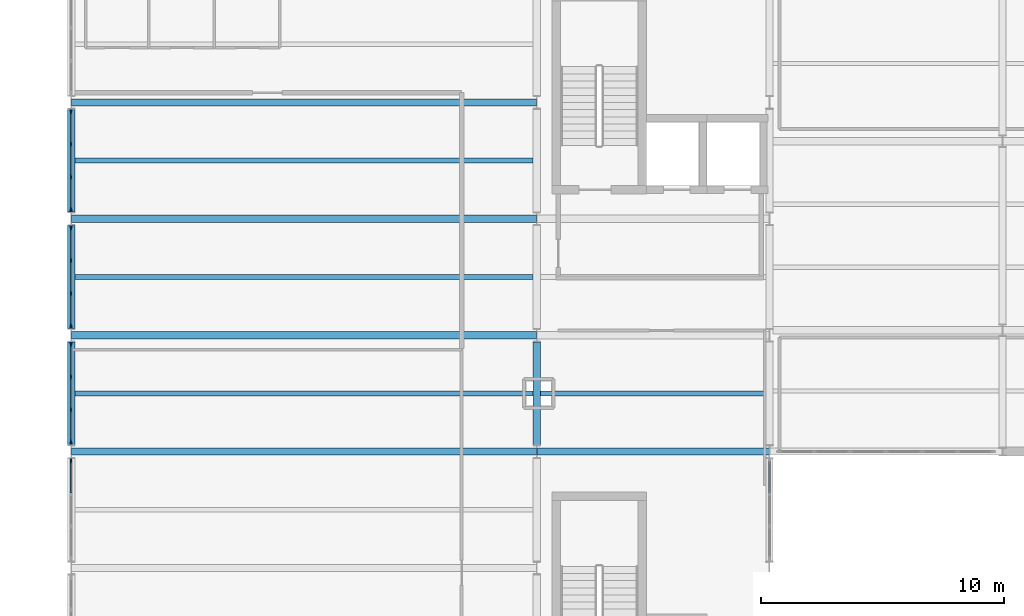
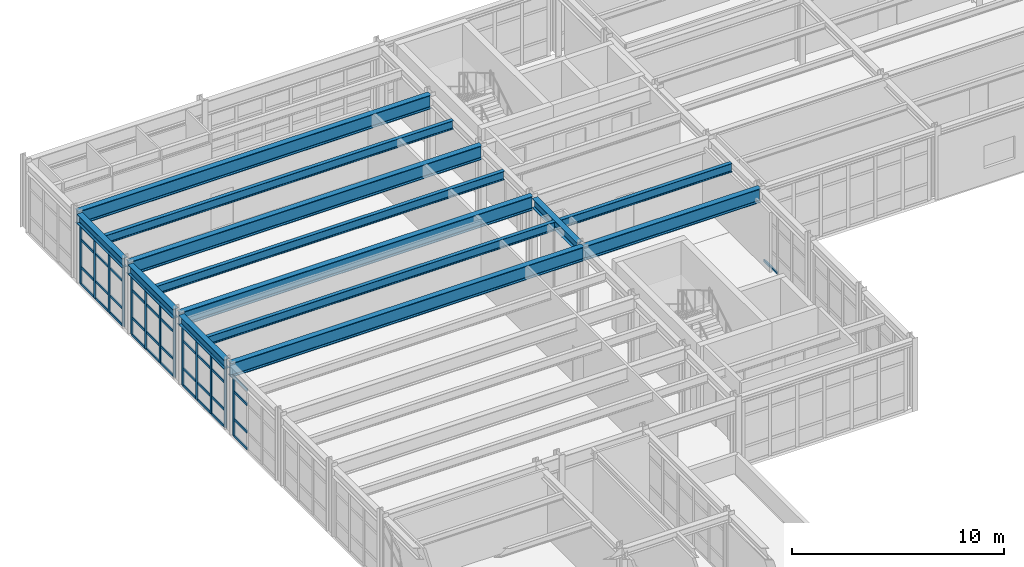
# One storey, part 26 of 64: 54 members, 13 beams, 5 elements without a shape of their own.
"""IFC4 building model written with IfcOpenShell, lengths in metres."""

from ifc_helpers import new_model, si_unit, direction, frame, origin, origin_2d, place, context, subcontext, project, spatial, rectangle, i_section, extrude, material, layer, layer_set, material_profile, profile_set, type_object, element, aggregate, save


model = new_model("IFC4")

# Units and contexts
model_context = context("Model", 3, precision=1e-05, world=origin(), true_north=direction((0.0, 1.0)))
body_context = subcontext(model_context, "Body", "Model", "MODEL_VIEW")
ifc_project = project(units=[si_unit("LENGTHUNIT", "METRE"), si_unit("AREAUNIT", "SQUARE_METRE"), si_unit("VOLUMEUNIT", "CUBIC_METRE"), si_unit("PLANEANGLEUNIT", "RADIAN"), si_unit("MASSUNIT", "GRAM", prefix="KILO")], contexts=[model_context])

# Site, building, storey
site_placement = place(None, origin())
site = spatial("IfcSite", under=ifc_project, at=site_placement, CompositionType="ELEMENT")
building_placement = place(site_placement, origin())
building = spatial("IfcBuilding", under=site, at=building_placement, Name="Nordkorset Police Headquarters", CompositionType="ELEMENT")
storey_placement = place(building_placement, frame((0.0, 0.0, 17.85009765625)))
storey = spatial("IfcBuildingStorey", under=building, at=storey_placement, Name="L04", CompositionType="ELEMENT", Elevation=17.85009765625)

# Beams
ifc_material_1 = material(Name="Steel S355J2", Category="steel")
ifc_material_profile_1 = material_profile(ifc_material_1, i_section(OverallWidth=0.199951171875, OverallDepth=0.5, WebThickness=0.01025390625, FlangeThickness=0.01611328125, FilletRadius=0.02099609375, at=origin_2d()), Name="IPE 500")
ifc_profile_set_1 = profile_set([ifc_material_profile_1], Name="Steel S355J2")
beam_type_1 = type_object("IfcBeamType", Name="Beam_IPE_500", PredefinedType="BEAM", material=ifc_profile_set_1)
for number, where, z_axis, x_axis, name in (
    (1, (0.14990234375, 100.0, 3.739990234375), (1.0, 0.0, 0.0), (0.0, 1.0, 0.0), "Composite Floor Beam V1 L04 0-3-1"),
    (2, (0.14990234375, 104.800048828125, 3.739990234375), (1.0, 0.0, 0.0), (0.0, 1.0, 0.0), "Composite Floor Beam V1 L04 0-4-1"),
    (3, (0.14990234375, 109.60009765625, 3.739990234375), (1.0, 0.0, 0.0), (0.0, 1.0, 0.0), "Composite Floor Beam V1 L04 0-5-1"),
):
    element("IfcBeam", number, at=place(storey_placement, frame(where, z_axis=z_axis, x_axis=x_axis)), inside=storey, type_object=beam_type_1, Name=name, PredefinedType="BEAM", context=body_context, shape_type="SweptSolid", body=[
        extrude(i_section(OverallWidth=0.199951171875, OverallDepth=0.5, WebThickness=0.01025390625, FlangeThickness=0.01611328125, FilletRadius=0.02099609375, at=origin_2d()), origin(), (0.0, 0.0, 1.0), 18.900146484375),
    ])
beam_1_placement = place(storey_placement, frame((19.35009765625, 100.0, 3.739990234375), z_axis=(1.0, 0.0, 0.0), x_axis=(0.0, 1.0, 0.0)))
element("IfcBeam", 4, at=beam_1_placement, inside=storey, type_object=beam_type_1, Name="Composite Floor Beam V1 L04 1-3-1", PredefinedType="BEAM", context=body_context, shape_type="SweptSolid", body=[
    extrude(i_section(OverallWidth=0.199951171875, OverallDepth=0.5, WebThickness=0.01025390625, FlangeThickness=0.01611328125, FilletRadius=0.02099609375, at=origin_2d()), origin(), (0.0, 0.0, 1.0), 9.2998046875),
])

# Curtain wall, member
ifc_material_2 = material(Name="Aluminium alloy AW-6060", Category="aluminium")
ifc_layer = layer(ifc_material_2, 0.179931640625, Name="Aluminium alloy AW-6060")
ifc_layer_set = layer_set([ifc_layer], Name="Aluminium alloy AW-6060")
curtain_wall_type = type_object("IfcCurtainWallType", Name="CW_Unit_408x343", PredefinedType="USERDEFINED", material=ifc_layer_set)
curtain_wall_1_placement = place(storey_placement, origin())
curtain_wall_1 = element("IfcCurtainWall", 5, at=curtain_wall_1_placement, inside=storey, type_object=curtain_wall_type, Name="Unitised Curtain Wall L04 V1W-2", ObjectType="UNITISED CURTAIN WALL", PredefinedType="USERDEFINED")
ifc_material_3 = material(Name="Aluminium alloy AW-6060", Category="aluminium")
ifc_material_profile_2 = material_profile(ifc_material_3, rectangle(XDim=0.06494140625, YDim=0.179931640625, at=origin_2d()), Name="ALU MULL 65x180")
ifc_profile_set_2 = profile_set([ifc_material_profile_2], Name="Aluminium alloy AW-6060")
member_type_1 = type_object("IfcMemberType", Name="CW_Mullion_65x180", PredefinedType="MULLION", material=ifc_profile_set_2)
member_1_placement = place(storey_placement, frame((0.0, 97.20751953125, 0.0), z_axis=(0.0, 0.0, 1.0), x_axis=(-1.0, 0.0, 0.0)))
member_1 = element("IfcMember", 6, at=member_1_placement, type_object=member_type_1, Name="CW-89 mullion 4", PredefinedType="MULLION", context=body_context, shape_type="SweptSolid", body=[
    extrude(rectangle(XDim=0.06494140625, YDim=0.179931640625, at=origin_2d()), origin(), (0.0, 0.0, 1.0), 3.429931640625),
])

# Curtain wall, members
curtain_wall_2_placement = place(storey_placement, origin())
curtain_wall_2 = element("IfcCurtainWall", 7, at=curtain_wall_2_placement, inside=storey, type_object=curtain_wall_type, Name="Unitised Curtain Wall L04 V1W-3", ObjectType="UNITISED CURTAIN WALL", PredefinedType="USERDEFINED")
member_2_placement = place(storey_placement, frame((0.0, 97.992431640625, 0.0), z_axis=(0.0, 0.0, 1.0), x_axis=(-1.0, 0.0, 0.0)))
member_2 = element("IfcMember", 8, at=member_2_placement, type_object=member_type_1, Name="CW-89 mullion 1", PredefinedType="MULLION", context=body_context, shape_type="SweptSolid", body=[
    extrude(rectangle(XDim=0.06494140625, YDim=0.179931640625, at=origin_2d()), origin(), (0.0, 0.0, 1.0), 3.429931640625),
])
member_3_placement = place(storey_placement, frame((0.0, 99.320068359375, 0.0), z_axis=(0.0, 0.0, 1.0), x_axis=(-1.0, 0.0, 0.0)))
member_3 = element("IfcMember", 9, at=member_3_placement, type_object=member_type_1, Name="CW-89 mullion 2", PredefinedType="MULLION", context=body_context, shape_type="SweptSolid", body=[
    extrude(rectangle(XDim=0.06494140625, YDim=0.179931640625, at=origin_2d()), origin(), (0.0, 0.0, 1.0), 3.429931640625),
])
member_4_placement = place(storey_placement, frame((0.0, 100.679931640625, 0.0), z_axis=(0.0, 0.0, 1.0), x_axis=(-1.0, 0.0, 0.0)))
member_4 = element("IfcMember", 10, at=member_4_placement, type_object=member_type_1, Name="CW-89 mullion 3", PredefinedType="MULLION", context=body_context, shape_type="SweptSolid", body=[
    extrude(rectangle(XDim=0.06494140625, YDim=0.179931640625, at=origin_2d()), origin(), (0.0, 0.0, 1.0), 3.429931640625),
])
member_5_placement = place(storey_placement, frame((0.0, 102.007568359375, 0.0), z_axis=(0.0, 0.0, 1.0), x_axis=(-1.0, 0.0, 0.0)))
member_5 = element("IfcMember", 11, at=member_5_placement, type_object=member_type_1, Name="CW-89 mullion 4", PredefinedType="MULLION", context=body_context, shape_type="SweptSolid", body=[
    extrude(rectangle(XDim=0.06494140625, YDim=0.179931640625, at=origin_2d()), origin(), (0.0, 0.0, 1.0), 3.429931640625),
])

curtain_wall_3_placement = place(storey_placement, origin())
curtain_wall_3 = element("IfcCurtainWall", 12, at=curtain_wall_3_placement, inside=storey, type_object=curtain_wall_type, Name="Unitised Curtain Wall L04 V1W-4", ObjectType="UNITISED CURTAIN WALL", PredefinedType="USERDEFINED")
member_6_placement = place(storey_placement, frame((0.0, 102.79248046875, 0.0), z_axis=(0.0, 0.0, 1.0), x_axis=(-1.0, 0.0, 0.0)))
member_6 = element("IfcMember", 13, at=member_6_placement, type_object=member_type_1, Name="CW-89 mullion 1", PredefinedType="MULLION", context=body_context, shape_type="SweptSolid", body=[
    extrude(rectangle(XDim=0.06494140625, YDim=0.179931640625, at=origin_2d()), origin(), (0.0, 0.0, 1.0), 3.429931640625),
])
member_7_placement = place(storey_placement, frame((0.0, 104.1201171875, 0.0), z_axis=(0.0, 0.0, 1.0), x_axis=(-1.0, 0.0, 0.0)))
member_7 = element("IfcMember", 14, at=member_7_placement, type_object=member_type_1, Name="CW-89 mullion 2", PredefinedType="MULLION", context=body_context, shape_type="SweptSolid", body=[
    extrude(rectangle(XDim=0.06494140625, YDim=0.179931640625, at=origin_2d()), origin(), (0.0, 0.0, 1.0), 3.429931640625),
])
member_8_placement = place(storey_placement, frame((0.0, 105.47998046875, 0.0), z_axis=(0.0, 0.0, 1.0), x_axis=(-1.0, 0.0, 0.0)))
member_8 = element("IfcMember", 15, at=member_8_placement, type_object=member_type_1, Name="CW-89 mullion 3", PredefinedType="MULLION", context=body_context, shape_type="SweptSolid", body=[
    extrude(rectangle(XDim=0.06494140625, YDim=0.179931640625, at=origin_2d()), origin(), (0.0, 0.0, 1.0), 3.429931640625),
])
member_9_placement = place(storey_placement, frame((0.0, 106.8076171875, 0.0), z_axis=(0.0, 0.0, 1.0), x_axis=(-1.0, 0.0, 0.0)))
member_9 = element("IfcMember", 16, at=member_9_placement, type_object=member_type_1, Name="CW-89 mullion 4", PredefinedType="MULLION", context=body_context, shape_type="SweptSolid", body=[
    extrude(rectangle(XDim=0.06494140625, YDim=0.179931640625, at=origin_2d()), origin(), (0.0, 0.0, 1.0), 3.429931640625),
])

curtain_wall_4_placement = place(storey_placement, origin())
curtain_wall_4 = element("IfcCurtainWall", 17, at=curtain_wall_4_placement, inside=storey, type_object=curtain_wall_type, Name="Unitised Curtain Wall L04 V1W-5", ObjectType="UNITISED CURTAIN WALL", PredefinedType="USERDEFINED")
member_10_placement = place(storey_placement, frame((0.0, 107.592529296875, 0.0), z_axis=(0.0, 0.0, 1.0), x_axis=(-1.0, 0.0, 0.0)))
member_10 = element("IfcMember", 18, at=member_10_placement, type_object=member_type_1, Name="CW-89 mullion 1", PredefinedType="MULLION", context=body_context, shape_type="SweptSolid", body=[
    extrude(rectangle(XDim=0.06494140625, YDim=0.179931640625, at=origin_2d()), origin(), (0.0, 0.0, 1.0), 3.429931640625),
])
member_11_placement = place(storey_placement, frame((0.0, 108.919921875, 0.0), z_axis=(0.0, 0.0, 1.0), x_axis=(-1.0, 0.0, 0.0)))
member_11 = element("IfcMember", 19, at=member_11_placement, type_object=member_type_1, Name="CW-89 mullion 2", PredefinedType="MULLION", context=body_context, shape_type="SweptSolid", body=[
    extrude(rectangle(XDim=0.06494140625, YDim=0.179931640625, at=origin_2d()), origin(), (0.0, 0.0, 1.0), 3.429931640625),
])
member_12_placement = place(storey_placement, frame((0.0, 110.280029296875, 0.0), z_axis=(0.0, 0.0, 1.0), x_axis=(-1.0, 0.0, 0.0)))
member_12 = element("IfcMember", 20, at=member_12_placement, type_object=member_type_1, Name="CW-89 mullion 3", PredefinedType="MULLION", context=body_context, shape_type="SweptSolid", body=[
    extrude(rectangle(XDim=0.06494140625, YDim=0.179931640625, at=origin_2d()), origin(), (0.0, 0.0, 1.0), 3.429931640625),
])
member_13_placement = place(storey_placement, frame((0.0, 111.607421875, 0.0), z_axis=(0.0, 0.0, 1.0), x_axis=(-1.0, 0.0, 0.0)))
member_13 = element("IfcMember", 21, at=member_13_placement, type_object=member_type_1, Name="CW-89 mullion 4", PredefinedType="MULLION", context=body_context, shape_type="SweptSolid", body=[
    extrude(rectangle(XDim=0.06494140625, YDim=0.179931640625, at=origin_2d()), origin(), (0.0, 0.0, 1.0), 3.429931640625),
])

# Member
ifc_material_4 = material(Name="Aluminium alloy AW-6060", Category="aluminium")
ifc_material_profile_3 = material_profile(ifc_material_4, rectangle(XDim=0.06494140625, YDim=0.139892578125, at=origin_2d()), Name="ALU TRAN 65x140")
ifc_profile_set_3 = profile_set([ifc_material_profile_3], Name="Aluminium alloy AW-6060")
member_type_2 = type_object("IfcMemberType", Name="CW_Transom_65x140", PredefinedType="USERDEFINED", material=ifc_profile_set_3)
member_14_placement = place(storey_placement, frame((0.0, 95.91259765625, 0.032470703125), z_axis=(0.0, 1.0, 0.0), x_axis=(-1.0, 0.0, 0.0)))
member_14 = element("IfcMember", 22, at=member_14_placement, type_object=member_type_2, Name="CW-89 transom 3.1", ObjectType="TRANSOM", PredefinedType="USERDEFINED", context=body_context, shape_type="SweptSolid", body=[
    extrude(rectangle(XDim=0.06494140625, YDim=0.139892578125, at=origin_2d()), origin(), (0.0, 0.0, 1.0), 1.262451171875),
])

member_15_placement = place(storey_placement, frame((0.0, 95.91259765625, 1.0), z_axis=(0.0, 1.0, 0.0), x_axis=(-1.0, 0.0, 0.0)))
member_15 = element("IfcMember", 23, at=member_15_placement, type_object=member_type_2, Name="CW-89 transom 3.2", ObjectType="TRANSOM", PredefinedType="USERDEFINED", context=body_context, shape_type="SweptSolid", body=[
    extrude(rectangle(XDim=0.06494140625, YDim=0.139892578125, at=origin_2d()), origin(), (0.0, 0.0, 1.0), 1.262451171875),
])

member_16_placement = place(storey_placement, frame((0.0, 95.91259765625, 2.579833984375), z_axis=(0.0, 1.0, 0.0), x_axis=(-1.0, 0.0, 0.0)))
member_16 = element("IfcMember", 24, at=member_16_placement, type_object=member_type_2, Name="CW-89 transom 3.3", ObjectType="TRANSOM", PredefinedType="USERDEFINED", context=body_context, shape_type="SweptSolid", body=[
    extrude(rectangle(XDim=0.06494140625, YDim=0.139892578125, at=origin_2d()), origin(), (0.0, 0.0, 1.0), 1.262451171875),
])

member_17_placement = place(storey_placement, frame((0.0, 95.91259765625, 3.3974609375), z_axis=(0.0, 1.0, 0.0), x_axis=(-1.0, 0.0, 0.0)))
member_17 = element("IfcMember", 25, at=member_17_placement, type_object=member_type_2, Name="CW-89 transom 3.4", ObjectType="TRANSOM", PredefinedType="USERDEFINED", context=body_context, shape_type="SweptSolid", body=[
    extrude(rectangle(XDim=0.06494140625, YDim=0.139892578125, at=origin_2d()), origin(), (0.0, 0.0, 1.0), 1.262451171875),
])

aggregate(curtain_wall_1, [member_1, member_14, member_15, member_16, member_17])

member_18_placement = place(storey_placement, frame((0.0, 98.02490234375, 0.032470703125), z_axis=(0.0, 1.0, 0.0), x_axis=(-1.0, 0.0, 0.0)))
member_18 = element("IfcMember", 26, at=member_18_placement, type_object=member_type_2, Name="CW-89 transom 1.1", ObjectType="TRANSOM", PredefinedType="USERDEFINED", context=body_context, shape_type="SweptSolid", body=[
    extrude(rectangle(XDim=0.06494140625, YDim=0.139892578125, at=origin_2d()), origin(), (0.0, 0.0, 1.0), 1.2626953125),
])

member_19_placement = place(storey_placement, frame((0.0, 98.02490234375, 1.0), z_axis=(0.0, 1.0, 0.0), x_axis=(-1.0, 0.0, 0.0)))
member_19 = element("IfcMember", 27, at=member_19_placement, type_object=member_type_2, Name="CW-89 transom 1.2", ObjectType="TRANSOM", PredefinedType="USERDEFINED", context=body_context, shape_type="SweptSolid", body=[
    extrude(rectangle(XDim=0.06494140625, YDim=0.139892578125, at=origin_2d()), origin(), (0.0, 0.0, 1.0), 1.2626953125),
])

member_20_placement = place(storey_placement, frame((0.0, 98.02490234375, 2.579833984375), z_axis=(0.0, 1.0, 0.0), x_axis=(-1.0, 0.0, 0.0)))
member_20 = element("IfcMember", 28, at=member_20_placement, type_object=member_type_2, Name="CW-89 transom 1.3", ObjectType="TRANSOM", PredefinedType="USERDEFINED", context=body_context, shape_type="SweptSolid", body=[
    extrude(rectangle(XDim=0.06494140625, YDim=0.139892578125, at=origin_2d()), origin(), (0.0, 0.0, 1.0), 1.2626953125),
])

member_21_placement = place(storey_placement, frame((0.0, 98.02490234375, 3.3974609375), z_axis=(0.0, 1.0, 0.0), x_axis=(-1.0, 0.0, 0.0)))
member_21 = element("IfcMember", 29, at=member_21_placement, type_object=member_type_2, Name="CW-89 transom 1.4", ObjectType="TRANSOM", PredefinedType="USERDEFINED", context=body_context, shape_type="SweptSolid", body=[
    extrude(rectangle(XDim=0.06494140625, YDim=0.139892578125, at=origin_2d()), origin(), (0.0, 0.0, 1.0), 1.2626953125),
])

member_22_placement = place(storey_placement, frame((0.0, 99.3525390625, 0.032470703125), z_axis=(0.0, 1.0, 0.0), x_axis=(-1.0, 0.0, 0.0)))
member_22 = element("IfcMember", 30, at=member_22_placement, type_object=member_type_2, Name="CW-89 transom 2.1", ObjectType="TRANSOM", PredefinedType="USERDEFINED", context=body_context, shape_type="SweptSolid", body=[
    extrude(rectangle(XDim=0.06494140625, YDim=0.139892578125, at=origin_2d()), origin(), (0.0, 0.0, 1.0), 1.294921875),
])

member_23_placement = place(storey_placement, frame((0.0, 99.3525390625, 1.0), z_axis=(0.0, 1.0, 0.0), x_axis=(-1.0, 0.0, 0.0)))
member_23 = element("IfcMember", 31, at=member_23_placement, type_object=member_type_2, Name="CW-89 transom 2.2", ObjectType="TRANSOM", PredefinedType="USERDEFINED", context=body_context, shape_type="SweptSolid", body=[
    extrude(rectangle(XDim=0.06494140625, YDim=0.139892578125, at=origin_2d()), origin(), (0.0, 0.0, 1.0), 1.294921875),
])

member_24_placement = place(storey_placement, frame((0.0, 99.3525390625, 2.579833984375), z_axis=(0.0, 1.0, 0.0), x_axis=(-1.0, 0.0, 0.0)))
member_24 = element("IfcMember", 32, at=member_24_placement, type_object=member_type_2, Name="CW-89 transom 2.3", ObjectType="TRANSOM", PredefinedType="USERDEFINED", context=body_context, shape_type="SweptSolid", body=[
    extrude(rectangle(XDim=0.06494140625, YDim=0.139892578125, at=origin_2d()), origin(), (0.0, 0.0, 1.0), 1.294921875),
])

member_25_placement = place(storey_placement, frame((0.0, 99.3525390625, 3.3974609375), z_axis=(0.0, 1.0, 0.0), x_axis=(-1.0, 0.0, 0.0)))
member_25 = element("IfcMember", 33, at=member_25_placement, type_object=member_type_2, Name="CW-89 transom 2.4", ObjectType="TRANSOM", PredefinedType="USERDEFINED", context=body_context, shape_type="SweptSolid", body=[
    extrude(rectangle(XDim=0.06494140625, YDim=0.139892578125, at=origin_2d()), origin(), (0.0, 0.0, 1.0), 1.294921875),
])

member_26_placement = place(storey_placement, frame((0.0, 100.71240234375, 0.032470703125), z_axis=(0.0, 1.0, 0.0), x_axis=(-1.0, 0.0, 0.0)))
member_26 = element("IfcMember", 34, at=member_26_placement, type_object=member_type_2, Name="CW-89 transom 3.1", ObjectType="TRANSOM", PredefinedType="USERDEFINED", context=body_context, shape_type="SweptSolid", body=[
    extrude(rectangle(XDim=0.06494140625, YDim=0.139892578125, at=origin_2d()), origin(), (0.0, 0.0, 1.0), 1.2626953125),
])

member_27_placement = place(storey_placement, frame((0.0, 100.71240234375, 1.0), z_axis=(0.0, 1.0, 0.0), x_axis=(-1.0, 0.0, 0.0)))
member_27 = element("IfcMember", 35, at=member_27_placement, type_object=member_type_2, Name="CW-89 transom 3.2", ObjectType="TRANSOM", PredefinedType="USERDEFINED", context=body_context, shape_type="SweptSolid", body=[
    extrude(rectangle(XDim=0.06494140625, YDim=0.139892578125, at=origin_2d()), origin(), (0.0, 0.0, 1.0), 1.2626953125),
])

member_28_placement = place(storey_placement, frame((0.0, 100.71240234375, 2.579833984375), z_axis=(0.0, 1.0, 0.0), x_axis=(-1.0, 0.0, 0.0)))
member_28 = element("IfcMember", 36, at=member_28_placement, type_object=member_type_2, Name="CW-89 transom 3.3", ObjectType="TRANSOM", PredefinedType="USERDEFINED", context=body_context, shape_type="SweptSolid", body=[
    extrude(rectangle(XDim=0.06494140625, YDim=0.139892578125, at=origin_2d()), origin(), (0.0, 0.0, 1.0), 1.2626953125),
])

member_29_placement = place(storey_placement, frame((0.0, 100.71240234375, 3.3974609375), z_axis=(0.0, 1.0, 0.0), x_axis=(-1.0, 0.0, 0.0)))
member_29 = element("IfcMember", 37, at=member_29_placement, type_object=member_type_2, Name="CW-89 transom 3.4", ObjectType="TRANSOM", PredefinedType="USERDEFINED", context=body_context, shape_type="SweptSolid", body=[
    extrude(rectangle(XDim=0.06494140625, YDim=0.139892578125, at=origin_2d()), origin(), (0.0, 0.0, 1.0), 1.2626953125),
])

aggregate(curtain_wall_2, [member_2, member_3, member_4, member_5, member_18, member_19, member_20, member_21, member_22, member_23, member_24, member_25, member_26, member_27, member_28, member_29])

member_30_placement = place(storey_placement, frame((0.0, 102.824951171875, 0.032470703125), z_axis=(0.0, 1.0, 0.0), x_axis=(-1.0, 0.0, 0.0)))
member_30 = element("IfcMember", 38, at=member_30_placement, type_object=member_type_2, Name="CW-89 transom 1.1", ObjectType="TRANSOM", PredefinedType="USERDEFINED", context=body_context, shape_type="SweptSolid", body=[
    extrude(rectangle(XDim=0.06494140625, YDim=0.139892578125, at=origin_2d()), origin(), (0.0, 0.0, 1.0), 1.262451171875),
])

member_31_placement = place(storey_placement, frame((0.0, 102.824951171875, 1.0), z_axis=(0.0, 1.0, 0.0), x_axis=(-1.0, 0.0, 0.0)))
member_31 = element("IfcMember", 39, at=member_31_placement, type_object=member_type_2, Name="CW-89 transom 1.2", ObjectType="TRANSOM", PredefinedType="USERDEFINED", context=body_context, shape_type="SweptSolid", body=[
    extrude(rectangle(XDim=0.06494140625, YDim=0.139892578125, at=origin_2d()), origin(), (0.0, 0.0, 1.0), 1.262451171875),
])

member_32_placement = place(storey_placement, frame((0.0, 102.824951171875, 2.579833984375), z_axis=(0.0, 1.0, 0.0), x_axis=(-1.0, 0.0, 0.0)))
member_32 = element("IfcMember", 40, at=member_32_placement, type_object=member_type_2, Name="CW-89 transom 1.3", ObjectType="TRANSOM", PredefinedType="USERDEFINED", context=body_context, shape_type="SweptSolid", body=[
    extrude(rectangle(XDim=0.06494140625, YDim=0.139892578125, at=origin_2d()), origin(), (0.0, 0.0, 1.0), 1.262451171875),
])

member_33_placement = place(storey_placement, frame((0.0, 102.824951171875, 3.3974609375), z_axis=(0.0, 1.0, 0.0), x_axis=(-1.0, 0.0, 0.0)))
member_33 = element("IfcMember", 41, at=member_33_placement, type_object=member_type_2, Name="CW-89 transom 1.4", ObjectType="TRANSOM", PredefinedType="USERDEFINED", context=body_context, shape_type="SweptSolid", body=[
    extrude(rectangle(XDim=0.06494140625, YDim=0.139892578125, at=origin_2d()), origin(), (0.0, 0.0, 1.0), 1.262451171875),
])

member_34_placement = place(storey_placement, frame((0.0, 104.152587890625, 0.032470703125), z_axis=(0.0, 1.0, 0.0), x_axis=(-1.0, 0.0, 0.0)))
member_34 = element("IfcMember", 42, at=member_34_placement, type_object=member_type_2, Name="CW-89 transom 2.1", ObjectType="TRANSOM", PredefinedType="USERDEFINED", context=body_context, shape_type="SweptSolid", body=[
    extrude(rectangle(XDim=0.06494140625, YDim=0.139892578125, at=origin_2d()), origin(), (0.0, 0.0, 1.0), 1.294921875),
])

member_35_placement = place(storey_placement, frame((0.0, 104.152587890625, 1.0), z_axis=(0.0, 1.0, 0.0), x_axis=(-1.0, 0.0, 0.0)))
member_35 = element("IfcMember", 43, at=member_35_placement, type_object=member_type_2, Name="CW-89 transom 2.2", ObjectType="TRANSOM", PredefinedType="USERDEFINED", context=body_context, shape_type="SweptSolid", body=[
    extrude(rectangle(XDim=0.06494140625, YDim=0.139892578125, at=origin_2d()), origin(), (0.0, 0.0, 1.0), 1.294921875),
])

member_36_placement = place(storey_placement, frame((0.0, 104.152587890625, 2.579833984375), z_axis=(0.0, 1.0, 0.0), x_axis=(-1.0, 0.0, 0.0)))
member_36 = element("IfcMember", 44, at=member_36_placement, type_object=member_type_2, Name="CW-89 transom 2.3", ObjectType="TRANSOM", PredefinedType="USERDEFINED", context=body_context, shape_type="SweptSolid", body=[
    extrude(rectangle(XDim=0.06494140625, YDim=0.139892578125, at=origin_2d()), origin(), (0.0, 0.0, 1.0), 1.294921875),
])

member_37_placement = place(storey_placement, frame((0.0, 104.152587890625, 3.3974609375), z_axis=(0.0, 1.0, 0.0), x_axis=(-1.0, 0.0, 0.0)))
member_37 = element("IfcMember", 45, at=member_37_placement, type_object=member_type_2, Name="CW-89 transom 2.4", ObjectType="TRANSOM", PredefinedType="USERDEFINED", context=body_context, shape_type="SweptSolid", body=[
    extrude(rectangle(XDim=0.06494140625, YDim=0.139892578125, at=origin_2d()), origin(), (0.0, 0.0, 1.0), 1.294921875),
])

member_38_placement = place(storey_placement, frame((0.0, 105.512451171875, 0.032470703125), z_axis=(0.0, 1.0, 0.0), x_axis=(-1.0, 0.0, 0.0)))
member_38 = element("IfcMember", 46, at=member_38_placement, type_object=member_type_2, Name="CW-89 transom 3.1", ObjectType="TRANSOM", PredefinedType="USERDEFINED", context=body_context, shape_type="SweptSolid", body=[
    extrude(rectangle(XDim=0.06494140625, YDim=0.139892578125, at=origin_2d()), origin(), (0.0, 0.0, 1.0), 1.262451171875),
])

member_39_placement = place(storey_placement, frame((0.0, 105.512451171875, 1.0), z_axis=(0.0, 1.0, 0.0), x_axis=(-1.0, 0.0, 0.0)))
member_39 = element("IfcMember", 47, at=member_39_placement, type_object=member_type_2, Name="CW-89 transom 3.2", ObjectType="TRANSOM", PredefinedType="USERDEFINED", context=body_context, shape_type="SweptSolid", body=[
    extrude(rectangle(XDim=0.06494140625, YDim=0.139892578125, at=origin_2d()), origin(), (0.0, 0.0, 1.0), 1.262451171875),
])

member_40_placement = place(storey_placement, frame((0.0, 105.512451171875, 2.579833984375), z_axis=(0.0, 1.0, 0.0), x_axis=(-1.0, 0.0, 0.0)))
member_40 = element("IfcMember", 48, at=member_40_placement, type_object=member_type_2, Name="CW-89 transom 3.3", ObjectType="TRANSOM", PredefinedType="USERDEFINED", context=body_context, shape_type="SweptSolid", body=[
    extrude(rectangle(XDim=0.06494140625, YDim=0.139892578125, at=origin_2d()), origin(), (0.0, 0.0, 1.0), 1.262451171875),
])

member_41_placement = place(storey_placement, frame((0.0, 105.512451171875, 3.3974609375), z_axis=(0.0, 1.0, 0.0), x_axis=(-1.0, 0.0, 0.0)))
member_41 = element("IfcMember", 49, at=member_41_placement, type_object=member_type_2, Name="CW-89 transom 3.4", ObjectType="TRANSOM", PredefinedType="USERDEFINED", context=body_context, shape_type="SweptSolid", body=[
    extrude(rectangle(XDim=0.06494140625, YDim=0.139892578125, at=origin_2d()), origin(), (0.0, 0.0, 1.0), 1.262451171875),
])

aggregate(curtain_wall_3, [member_6, member_7, member_8, member_9, member_30, member_31, member_32, member_33, member_34, member_35, member_36, member_37, member_38, member_39, member_40, member_41])

member_42_placement = place(storey_placement, frame((0.0, 107.625, 0.032470703125), z_axis=(0.0, 1.0, 0.0), x_axis=(-1.0, 0.0, 0.0)))
member_42 = element("IfcMember", 50, at=member_42_placement, type_object=member_type_2, Name="CW-89 transom 1.1", ObjectType="TRANSOM", PredefinedType="USERDEFINED", context=body_context, shape_type="SweptSolid", body=[
    extrude(rectangle(XDim=0.06494140625, YDim=0.139892578125, at=origin_2d()), origin(), (0.0, 0.0, 1.0), 1.262451171875),
])

member_43_placement = place(storey_placement, frame((0.0, 107.625, 1.0), z_axis=(0.0, 1.0, 0.0), x_axis=(-1.0, 0.0, 0.0)))
member_43 = element("IfcMember", 51, at=member_43_placement, type_object=member_type_2, Name="CW-89 transom 1.2", ObjectType="TRANSOM", PredefinedType="USERDEFINED", context=body_context, shape_type="SweptSolid", body=[
    extrude(rectangle(XDim=0.06494140625, YDim=0.139892578125, at=origin_2d()), origin(), (0.0, 0.0, 1.0), 1.262451171875),
])

member_44_placement = place(storey_placement, frame((0.0, 107.625, 2.579833984375), z_axis=(0.0, 1.0, 0.0), x_axis=(-1.0, 0.0, 0.0)))
member_44 = element("IfcMember", 52, at=member_44_placement, type_object=member_type_2, Name="CW-89 transom 1.3", ObjectType="TRANSOM", PredefinedType="USERDEFINED", context=body_context, shape_type="SweptSolid", body=[
    extrude(rectangle(XDim=0.06494140625, YDim=0.139892578125, at=origin_2d()), origin(), (0.0, 0.0, 1.0), 1.262451171875),
])

member_45_placement = place(storey_placement, frame((0.0, 107.625, 3.3974609375), z_axis=(0.0, 1.0, 0.0), x_axis=(-1.0, 0.0, 0.0)))
member_45 = element("IfcMember", 53, at=member_45_placement, type_object=member_type_2, Name="CW-89 transom 1.4", ObjectType="TRANSOM", PredefinedType="USERDEFINED", context=body_context, shape_type="SweptSolid", body=[
    extrude(rectangle(XDim=0.06494140625, YDim=0.139892578125, at=origin_2d()), origin(), (0.0, 0.0, 1.0), 1.262451171875),
])

member_46_placement = place(storey_placement, frame((0.0, 108.952392578125, 0.032470703125), z_axis=(0.0, 1.0, 0.0), x_axis=(-1.0, 0.0, 0.0)))
member_46 = element("IfcMember", 54, at=member_46_placement, type_object=member_type_2, Name="CW-89 transom 2.1", ObjectType="TRANSOM", PredefinedType="USERDEFINED", context=body_context, shape_type="SweptSolid", body=[
    extrude(rectangle(XDim=0.06494140625, YDim=0.139892578125, at=origin_2d()), origin(), (0.0, 0.0, 1.0), 1.295166015625),
])

member_47_placement = place(storey_placement, frame((0.0, 108.952392578125, 1.0), z_axis=(0.0, 1.0, 0.0), x_axis=(-1.0, 0.0, 0.0)))
member_47 = element("IfcMember", 55, at=member_47_placement, type_object=member_type_2, Name="CW-89 transom 2.2", ObjectType="TRANSOM", PredefinedType="USERDEFINED", context=body_context, shape_type="SweptSolid", body=[
    extrude(rectangle(XDim=0.06494140625, YDim=0.139892578125, at=origin_2d()), origin(), (0.0, 0.0, 1.0), 1.295166015625),
])

member_48_placement = place(storey_placement, frame((0.0, 108.952392578125, 2.579833984375), z_axis=(0.0, 1.0, 0.0), x_axis=(-1.0, 0.0, 0.0)))
member_48 = element("IfcMember", 56, at=member_48_placement, type_object=member_type_2, Name="CW-89 transom 2.3", ObjectType="TRANSOM", PredefinedType="USERDEFINED", context=body_context, shape_type="SweptSolid", body=[
    extrude(rectangle(XDim=0.06494140625, YDim=0.139892578125, at=origin_2d()), origin(), (0.0, 0.0, 1.0), 1.295166015625),
])

member_49_placement = place(storey_placement, frame((0.0, 108.952392578125, 3.3974609375), z_axis=(0.0, 1.0, 0.0), x_axis=(-1.0, 0.0, 0.0)))
member_49 = element("IfcMember", 57, at=member_49_placement, type_object=member_type_2, Name="CW-89 transom 2.4", ObjectType="TRANSOM", PredefinedType="USERDEFINED", context=body_context, shape_type="SweptSolid", body=[
    extrude(rectangle(XDim=0.06494140625, YDim=0.139892578125, at=origin_2d()), origin(), (0.0, 0.0, 1.0), 1.295166015625),
])

member_50_placement = place(storey_placement, frame((0.0, 110.3125, 0.032470703125), z_axis=(0.0, 1.0, 0.0), x_axis=(-1.0, 0.0, 0.0)))
member_50 = element("IfcMember", 58, at=member_50_placement, type_object=member_type_2, Name="CW-89 transom 3.1", ObjectType="TRANSOM", PredefinedType="USERDEFINED", context=body_context, shape_type="SweptSolid", body=[
    extrude(rectangle(XDim=0.06494140625, YDim=0.139892578125, at=origin_2d()), origin(), (0.0, 0.0, 1.0), 1.262451171875),
])

member_51_placement = place(storey_placement, frame((0.0, 110.3125, 1.0), z_axis=(0.0, 1.0, 0.0), x_axis=(-1.0, 0.0, 0.0)))
member_51 = element("IfcMember", 59, at=member_51_placement, type_object=member_type_2, Name="CW-89 transom 3.2", ObjectType="TRANSOM", PredefinedType="USERDEFINED", context=body_context, shape_type="SweptSolid", body=[
    extrude(rectangle(XDim=0.06494140625, YDim=0.139892578125, at=origin_2d()), origin(), (0.0, 0.0, 1.0), 1.262451171875),
])

member_52_placement = place(storey_placement, frame((0.0, 110.3125, 2.579833984375), z_axis=(0.0, 1.0, 0.0), x_axis=(-1.0, 0.0, 0.0)))
member_52 = element("IfcMember", 60, at=member_52_placement, type_object=member_type_2, Name="CW-89 transom 3.3", ObjectType="TRANSOM", PredefinedType="USERDEFINED", context=body_context, shape_type="SweptSolid", body=[
    extrude(rectangle(XDim=0.06494140625, YDim=0.139892578125, at=origin_2d()), origin(), (0.0, 0.0, 1.0), 1.262451171875),
])

member_53_placement = place(storey_placement, frame((0.0, 110.3125, 3.3974609375), z_axis=(0.0, 1.0, 0.0), x_axis=(-1.0, 0.0, 0.0)))
member_53 = element("IfcMember", 61, at=member_53_placement, type_object=member_type_2, Name="CW-89 transom 3.4", ObjectType="TRANSOM", PredefinedType="USERDEFINED", context=body_context, shape_type="SweptSolid", body=[
    extrude(rectangle(XDim=0.06494140625, YDim=0.139892578125, at=origin_2d()), origin(), (0.0, 0.0, 1.0), 1.262451171875),
])

aggregate(curtain_wall_4, [member_10, member_11, member_12, member_13, member_42, member_43, member_44, member_45, member_46, member_47, member_48, member_49, member_50, member_51, member_52, member_53])

# Curtain wall, member
curtain_wall_5_placement = place(storey_placement, origin())
curtain_wall_5 = element("IfcCurtainWall", 62, at=curtain_wall_5_placement, inside=storey, type_object=curtain_wall_type, Name="Unitised Curtain Wall L04 V1E-2", ObjectType="UNITISED CURTAIN WALL", PredefinedType="USERDEFINED")
member_54_placement = place(storey_placement, frame((28.800048828125, 95.91259765625, 0.032470703125), z_axis=(0.0, 1.0, 0.0), x_axis=(-1.0, 0.0, 0.0)))
member_54 = element("IfcMember", 63, at=member_54_placement, type_object=member_type_2, Name="CW-89 transom 3.1", ObjectType="TRANSOM", PredefinedType="USERDEFINED", context=body_context, shape_type="SweptSolid", body=[
    extrude(rectangle(XDim=0.06494140625, YDim=0.139892578125, at=origin_2d()), origin(), (0.0, 0.0, 1.0), 1.262451171875),
])
aggregate(curtain_wall_5, [member_54])

# Beams
ifc_material_5 = material(Name="Steel S355J2", Category="steel")
ifc_material_profile_4 = material_profile(ifc_material_5, i_section(OverallWidth=0.300048828125, OverallDepth=0.5400390625, WebThickness=0.012451171875, FlangeThickness=0.02392578125, FilletRadius=0.027099609375, at=origin_2d()), Name="HEA 550")
ifc_profile_set_4 = profile_set([ifc_material_profile_4], Name="Steel S355J2")
beam_type_2 = type_object("IfcBeamType", Name="Girder_HEA_550", PredefinedType="USERDEFINED", material=ifc_profile_set_4)
for number, where, z_axis, x_axis, name in (
    (64, (0.0, 97.875, 3.719970703125), (0.0, 1.0, 0.0), (-1.0, 0.0, 0.0), "Girder V1 L04 GY-0-3"),
    (65, (0.0, 102.675048828125, 3.719970703125), (0.0, 1.0, 0.0), (-1.0, 0.0, 0.0), "Girder V1 L04 GY-0-4"),
    (66, (0.0, 107.47509765625, 3.719970703125), (0.0, 1.0, 0.0), (-1.0, 0.0, 0.0), "Girder V1 L04 GY-0-5"),
    (67, (19.199951171875, 97.875, 3.719970703125), (0.0, 1.0, 0.0), (-1.0, 0.0, 0.0), "Girder V1 L04 GY-1-3"),
):
    element("IfcBeam", number, at=place(storey_placement, frame(where, z_axis=z_axis, x_axis=x_axis)), inside=storey, type_object=beam_type_2, Name=name, ObjectType="GIRDER", PredefinedType="USERDEFINED", context=body_context, shape_type="SweptSolid", body=[
        extrude(i_section(OverallWidth=0.300048828125, OverallDepth=0.5400390625, WebThickness=0.012451171875, FlangeThickness=0.02392578125, FilletRadius=0.027099609375, at=origin_2d()), origin(), (0.0, 0.0, 1.0), 4.25),
    ])
ifc_material_6 = material(Name="Steel S355J2", Category="steel")
ifc_material_profile_5 = material_profile(ifc_material_6, i_section(OverallWidth=0.300048828125, OverallDepth=0.800048828125, WebThickness=0.017578125, FlangeThickness=0.032958984375, FilletRadius=0.030029296875, at=origin_2d()), Name="HEB 800")
ifc_profile_set_5 = profile_set([ifc_material_profile_5], Name="Steel S355J2")
beam_type_3 = type_object("IfcBeamType", Name="Girder_HEB_800", PredefinedType="USERDEFINED", material=ifc_profile_set_5)
beam_2_placement = place(storey_placement, frame((0.007568359375, 97.60009765625, 3.58984375), z_axis=(1.0, 0.0, 0.0), x_axis=(0.0, 1.0, 0.0)))
element("IfcBeam", 68, at=beam_2_placement, inside=storey, type_object=beam_type_3, Name="Girder V1 L04 GX-3-0", ObjectType="GIRDER", PredefinedType="USERDEFINED", context=body_context, shape_type="SweptSolid", body=[
    extrude(i_section(OverallWidth=0.300048828125, OverallDepth=0.800048828125, WebThickness=0.017578125, FlangeThickness=0.032958984375, FilletRadius=0.030029296875, at=origin_2d()), origin(), (0.0, 0.0, 1.0), 19.184814453125),
])
beam_3_placement = place(storey_placement, frame((19.20751953125, 97.60009765625, 3.5849609375), z_axis=(1.0, 0.0, 0.0), x_axis=(0.0, 1.0, 0.0)))
element("IfcBeam", 69, at=beam_3_placement, inside=storey, type_object=beam_type_3, Name="Girder V1 L04 GX-3-1", ObjectType="GIRDER", PredefinedType="USERDEFINED", context=body_context, shape_type="SweptSolid", body=[
    extrude(i_section(OverallWidth=0.300048828125, OverallDepth=0.800048828125, WebThickness=0.017578125, FlangeThickness=0.032958984375, FilletRadius=0.030029296875, at=origin_2d()), origin(), (0.0, 0.0, 1.0), 9.5849609375),
])
for number, where, z_axis, x_axis, name in (
    (70, (0.007568359375, 102.39990234375, 3.58984375), (1.0, 0.0, 0.0), (0.0, 1.0, 0.0), "Girder V1 L04 GX-4-0"),
    (71, (0.007568359375, 107.199951171875, 3.58984375), (1.0, 0.0, 0.0), (0.0, 1.0, 0.0), "Girder V1 L04 GX-5-0"),
    (72, (0.007568359375, 112.0, 3.58984375), (1.0, 0.0, 0.0), (0.0, 1.0, 0.0), "Girder V1 L04 GX-6-0"),
):
    element("IfcBeam", number, at=place(storey_placement, frame(where, z_axis=z_axis, x_axis=x_axis)), inside=storey, type_object=beam_type_3, Name=name, ObjectType="GIRDER", PredefinedType="USERDEFINED", context=body_context, shape_type="SweptSolid", body=[
        extrude(i_section(OverallWidth=0.300048828125, OverallDepth=0.800048828125, WebThickness=0.017578125, FlangeThickness=0.032958984375, FilletRadius=0.030029296875, at=origin_2d()), origin(), (0.0, 0.0, 1.0), 19.184814453125),
    ])

save(model, "model.ifc")
